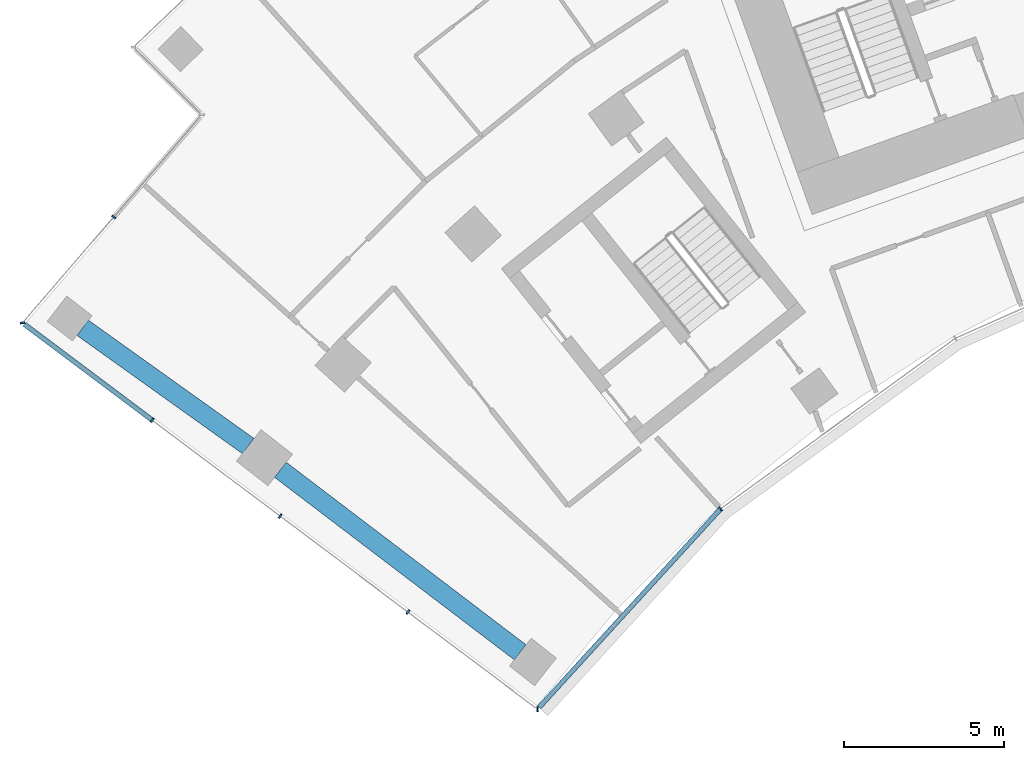
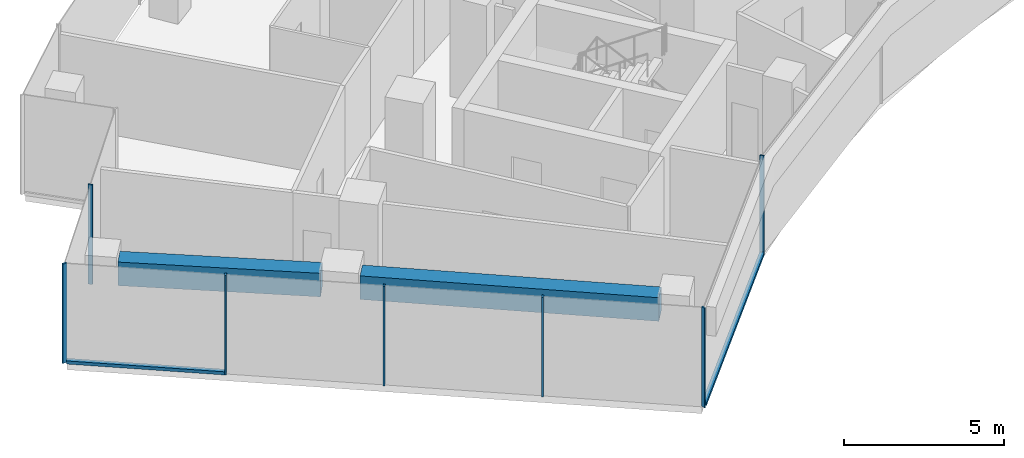
# One storey, part 2 of 21: 9 members, 2 beams, 3 elements without a shape of their own.
"""IFC4 building model written with IfcOpenShell, lengths in metres."""

from ifc_helpers import new_model, si_unit, direction, frame, origin, origin_2d, place, context, subcontext, project, spatial, rectangle, extrude, material, layer, layer_set, material_profile, profile_set, type_object, element, aggregate, save


model = new_model("IFC4")

# Units and contexts
model_context = context("Model", 3, precision=1e-05, world=origin(), true_north=direction((0.0, 1.0)))
body_context = subcontext(model_context, "Body", "Model", "MODEL_VIEW")
ifc_project = project(units=[si_unit("LENGTHUNIT", "METRE"), si_unit("AREAUNIT", "SQUARE_METRE"), si_unit("VOLUMEUNIT", "CUBIC_METRE"), si_unit("PLANEANGLEUNIT", "RADIAN"), si_unit("MASSUNIT", "GRAM", prefix="KILO")], contexts=[model_context])

# Site, building, storey
site_placement = place(None, origin())
site = spatial("IfcSite", under=ifc_project, at=site_placement, CompositionType="ELEMENT")
building_placement = place(site_placement, origin())
building = spatial("IfcBuilding", under=site, at=building_placement, Name="Stone Belt Terrace Tower", CompositionType="ELEMENT")
storey_placement = place(building_placement, frame((0.0, 0.0, 159.199951171875)))
storey = spatial("IfcBuildingStorey", under=building, at=storey_placement, Name="L38", CompositionType="ELEMENT", Elevation=159.199951171875)

# Curtain wall, members
ifc_material_1 = material(Name="Aluminium 6063-T6 anodised frame", Category="aluminium")
ifc_layer_1 = layer(ifc_material_1, 0.14990234375)
ifc_layer_set_1 = layer_set([ifc_layer_1], Name="CW-B unitised concave-face curtain wall")
curtain_wall_type_1 = type_object("IfcCurtainWallType", Name="CW-B unitised concave-face curtain wall", PredefinedType="NOTDEFINED", material=ifc_layer_set_1)
curtain_wall_1_placement = place(storey_placement, origin())
curtain_wall_1 = element("IfcCurtainWall", 1, at=curtain_wall_1_placement, inside=storey, type_object=curtain_wall_type_1, Name="CW-B concave face L38", PredefinedType="NOTDEFINED")
ifc_material_profile_1 = material_profile(ifc_material_1, rectangle(XDim=0.14990234375, YDim=0.050048828125, at=origin_2d()), Name="Aluminium 6063-T6 50x150")
ifc_profile_set_1 = profile_set([ifc_material_profile_1], Name="Aluminium 6063-T6 anodised frame")
member_type_1 = type_object("IfcMemberType", Name="CW-B mullion 50 x 150", PredefinedType="MULLION", material=ifc_profile_set_1)
member_1_placement = place(storey_placement, frame((-34.7900390625, 26.0, 0.0), z_axis=(0.0, 0.0, 1.0), x_axis=(-0.093180581986, 0.995649224949, 0.0)))
member_1 = element("IfcMember", 2, at=member_1_placement, type_object=member_type_1, Name="CW-B mullion 1", PredefinedType="MULLION", context=body_context, shape_type="SweptSolid", body=[
    extrude(rectangle(XDim=0.14990234375, YDim=0.050048828125, at=origin_2d()), origin(), (0.0, 0.0, 1.0), 3.800048828125),
])
member_2_placement = place(storey_placement, frame((-29.056884765625, 32.2705078125, 0.0), z_axis=(0.0, 0.0, 1.0), x_axis=(-0.666300886777, 0.745682994496, 0.0)))
member_2 = element("IfcMember", 3, at=member_2_placement, type_object=member_type_1, Name="CW-B mullion 2", PredefinedType="MULLION", context=body_context, shape_type="SweptSolid", body=[
    extrude(rectangle(XDim=0.14990234375, YDim=0.050048828125, at=origin_2d()), origin(), (0.0, 0.0, 1.0), 3.800048828125),
])
ifc_material_profile_2 = material_profile(ifc_material_1, rectangle(XDim=0.14990234375, YDim=0.1201171875, at=origin_2d()), Name="Aluminium 6063-T6 150x120")
ifc_profile_set_2 = profile_set([ifc_material_profile_2], Name="Aluminium 6063-T6 anodised frame")
member_type_2 = type_object("IfcMemberType", Name="CW-B transom 120 x 150", PredefinedType="USERDEFINED", material=ifc_profile_set_2)
member_3_placement = place(storey_placement, frame((-34.743408203125, 26.05078125, 0.06005859375), z_axis=(0.674757432231, 0.738039570517, 0.0), x_axis=(-0.738039570517, 0.674757432231, 0.0)))
member_3 = element("IfcMember", 4, at=member_3_placement, type_object=member_type_2, Name="CW-B transom 1.1", ObjectType="TRANSOM", PredefinedType="USERDEFINED", context=body_context, shape_type="SweptSolid", body=[
    extrude(rectangle(XDim=0.14990234375, YDim=0.1201171875, at=origin_2d()), origin(), (0.0, 0.0, 1.0), 8.39501953125),
])
aggregate(curtain_wall_1, [member_1, member_2, member_3])

# Curtain wall, member
ifc_layer_2 = layer(ifc_material_1, 0.14990234375)
ifc_layer_set_2 = layer_set([ifc_layer_2], Name="CW-C stick curtain wall, horn ends and notches")
curtain_wall_type_2 = type_object("IfcCurtainWallType", Name="CW-C stick curtain wall, horn ends and notches", PredefinedType="NOTDEFINED", material=ifc_layer_set_2)
curtain_wall_2_placement = place(storey_placement, origin())
curtain_wall_2 = element("IfcCurtainWall", 5, at=curtain_wall_2_placement, inside=storey, type_object=curtain_wall_type_2, Name="CW-C notch face L38", PredefinedType="NOTDEFINED")
ifc_material_profile_3 = material_profile(ifc_material_1, rectangle(XDim=0.14990234375, YDim=0.06005859375, at=origin_2d()), Name="Aluminium 6063-T6 60x150")
ifc_profile_set_3 = profile_set([ifc_material_profile_3], Name="Aluminium 6063-T6 anodised frame")
member_type_3 = type_object("IfcMemberType", Name="CW-C mullion 60 x 150", PredefinedType="MULLION", material=ifc_profile_set_3)
member_4_placement = place(storey_placement, frame((-48.05322265625, 41.40283203125, 0.0), z_axis=(0.0, 0.0, 1.0), x_axis=(0.757583847343, -0.652737860281, 0.0)))
member_4 = element("IfcMember", 6, at=member_4_placement, type_object=member_type_3, Name="CW-C mullion 2", PredefinedType="MULLION", context=body_context, shape_type="SweptSolid", body=[
    extrude(rectangle(XDim=0.14990234375, YDim=0.06005859375, at=origin_2d()), origin(), (0.0, 0.0, 1.0), 3.800048828125),
])
aggregate(curtain_wall_2, [member_4])

# Curtain wall, members
curtain_wall_3_placement = place(storey_placement, origin())
curtain_wall_3 = element("IfcCurtainWall", 7, at=curtain_wall_3_placement, inside=storey, type_object=curtain_wall_type_2, Name="CW-C end face L38", PredefinedType="NOTDEFINED")
member_5_placement = place(storey_placement, frame((-50.908447265625, 38.08935546875, 0.0), z_axis=(0.0, 0.0, 1.0), x_axis=(0.994169356535, 0.107829914807, 0.0)))
member_5 = element("IfcMember", 8, at=member_5_placement, type_object=member_type_3, Name="CW-C mullion 1", PredefinedType="MULLION", context=body_context, shape_type="SweptSolid", body=[
    extrude(rectangle(XDim=0.14990234375, YDim=0.06005859375, at=origin_2d()), origin(), (0.0, 0.0, 1.0), 3.800048828125),
])
member_6_placement = place(storey_placement, frame((-46.84423828125, 35.041015625, 0.0), z_axis=(0.0, 0.0, 1.0), x_axis=(0.600017992436, 0.799986505357, 0.0)))
member_6 = element("IfcMember", 9, at=member_6_placement, type_object=member_type_3, Name="CW-C mullion 2", PredefinedType="MULLION", context=body_context, shape_type="SweptSolid", body=[
    extrude(rectangle(XDim=0.14990234375, YDim=0.06005859375, at=origin_2d()), origin(), (0.0, 0.0, 1.0), 3.800048828125),
])
member_7_placement = place(storey_placement, frame((-42.84423828125, 32.041015625, 0.0), z_axis=(0.0, 0.0, 1.0), x_axis=(0.600017992436, 0.799986505357, 0.0)))
member_7 = element("IfcMember", 10, at=member_7_placement, type_object=member_type_3, Name="CW-C mullion 3", PredefinedType="MULLION", context=body_context, shape_type="SweptSolid", body=[
    extrude(rectangle(XDim=0.14990234375, YDim=0.06005859375, at=origin_2d()), origin(), (0.0, 0.0, 1.0), 3.800048828125),
])
member_8_placement = place(storey_placement, frame((-38.84423828125, 29.040771484375, 0.0), z_axis=(0.0, 0.0, 1.0), x_axis=(0.600017992436, 0.799986505357, 0.0)))
member_8 = element("IfcMember", 11, at=member_8_placement, type_object=member_type_3, Name="CW-C mullion 4", PredefinedType="MULLION", context=body_context, shape_type="SweptSolid", body=[
    extrude(rectangle(XDim=0.14990234375, YDim=0.06005859375, at=origin_2d()), origin(), (0.0, 0.0, 1.0), 3.800048828125),
])
ifc_material_profile_4 = material_profile(ifc_material_1, rectangle(XDim=0.14990234375, YDim=0.1201171875, at=origin_2d()), Name="Aluminium 6063-T6 150x120")
ifc_profile_set_4 = profile_set([ifc_material_profile_4], Name="Aluminium 6063-T6 anodised frame")
member_type_4 = type_object("IfcMemberType", Name="CW-C transom 120 x 150", PredefinedType="USERDEFINED", material=ifc_profile_set_4)
member_9_placement = place(storey_placement, frame((-50.84814453125, 38.044189453125, 0.06005859375), z_axis=(0.799988222323, -0.600015703248, 0.0), x_axis=(0.600015703248, 0.799988222323, 0.0)))
member_9 = element("IfcMember", 12, at=member_9_placement, type_object=member_type_4, Name="CW-C transom 1.1", ObjectType="TRANSOM", PredefinedType="USERDEFINED", context=body_context, shape_type="SweptSolid", body=[
    extrude(rectangle(XDim=0.14990234375, YDim=0.1201171875, at=origin_2d()), origin(), (0.0, 0.0, 1.0), 4.97509765625),
])
aggregate(curtain_wall_3, [member_5, member_6, member_7, member_8, member_9])

# Beams
ifc_material_2 = material(Name="Concrete B60", Category="concrete")
ifc_material_profile_5 = material_profile(ifc_material_2, rectangle(XDim=0.60009765625, YDim=0.89990234375, at=origin_2d()), Name="RC 600x900")
ifc_profile_set_5 = profile_set([ifc_material_profile_5], Name="Concrete B60")
beam_type = type_object("IfcBeamType", Name="Edge beam RC 600x900 B60", PredefinedType="SPANDREL", material=ifc_profile_set_5)
beam_1_placement = place(storey_placement, frame((-35.33203125, 27.779541015625, 3.030029296875), z_axis=(-0.795702028976, 0.605688270552, 0.0), x_axis=(-0.605688270552, -0.795702028976, 0.0)))
element("IfcBeam", 13, at=beam_1_placement, inside=storey, type_object=beam_type, Name="Edge beam L38 A P to Q", PredefinedType="SPANDREL", context=body_context, shape_type="SweptSolid", body=[
    extrude(rectangle(XDim=0.60009765625, YDim=0.89990234375, at=origin_2d()), origin(), (0.0, 0.0, 1.0), 9.430908203125),
])
beam_2_placement = place(storey_placement, frame((-43.842529296875, 34.23388671875, 3.030029296875), z_axis=(-0.813774908454, 0.581180177201, 0.0), x_axis=(-0.581180177201, -0.813774908454, 0.0)))
element("IfcBeam", 14, at=beam_2_placement, inside=storey, type_object=beam_type, Name="Edge beam L38 A Q to R", PredefinedType="SPANDREL", context=body_context, shape_type="SweptSolid", body=[
    extrude(rectangle(XDim=0.60009765625, YDim=0.89990234375, at=origin_2d()), origin(), (0.0, 0.0, 1.0), 6.369140625),
])

save(model, "model.ifc")
